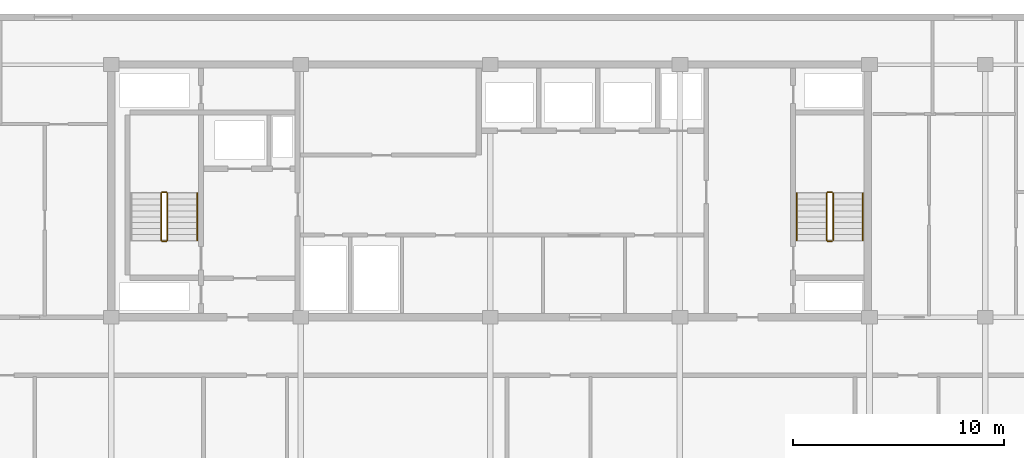
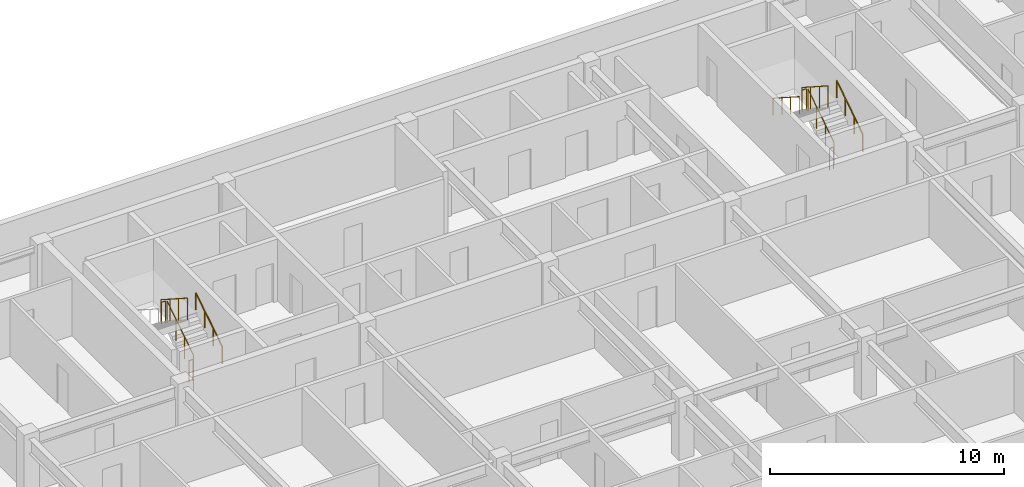
# One storey, part 18 of 21: 11 railings.
"""IFC4 building model written with IfcOpenShell, lengths in metres."""

from ifc_helpers import new_model, si_unit, direction, frame, origin, origin_2d, place, context, subcontext, project, spatial, circle, extrude, material, type_object, element, save


model = new_model("IFC4")

# Units and contexts
model_context = context("Model", 3, precision=1e-05, world=origin(), true_north=direction((0.0, 1.0)))
body_context = subcontext(model_context, "Body", "Model", "MODEL_VIEW")
ifc_project = project(units=[si_unit("LENGTHUNIT", "METRE"), si_unit("AREAUNIT", "SQUARE_METRE"), si_unit("VOLUMEUNIT", "CUBIC_METRE"), si_unit("PLANEANGLEUNIT", "RADIAN"), si_unit("MASSUNIT", "GRAM", prefix="KILO")], contexts=[model_context])

# Site, building, storey
site_placement = place(None, origin())
site = spatial("IfcSite", under=ifc_project, at=site_placement, CompositionType="ELEMENT")
building_placement = place(site_placement, origin())
building = spatial("IfcBuilding", under=site, at=building_placement, Name="Korimba Cascade Residences", CompositionType="ELEMENT")
storey_placement = place(building_placement, frame((0.0, 0.0, 184.85009765625)))
storey = spatial("IfcBuildingStorey", under=building, at=storey_placement, Name="L53", CompositionType="ELEMENT", Elevation=184.85009765625)

# Railings
ifc_material_1 = material(Name="Painted Steel Stairwell Guardrail", Category="steel")
railing_type_1 = type_object("IfcRailingType", Name="RLG-ST-GD1150", PredefinedType="GUARDRAIL", material=ifc_material_1)
railing_1_placement = place(storey_placement, frame((84.77001953125, 22.050048828125, 0.180419921875)))
element("IfcRailing", 1, at=railing_1_placement, inside=storey, type_object=railing_type_1, Name="L53 ST-E1 stair guard 1", PredefinedType="GUARDRAIL", context=body_context, shape_type="SweptSolid", body=[
    extrude(circle(Radius=0.02392578125, at=origin_2d()), frame((0.0, 0.0, 1.1259765625), z_axis=(0.0, 0.840394893359, 0.541974559565), x_axis=(-1.0, 0.0, 0.0)), (0.0, 0.0, 1.0), 2.665283203125),
    extrude(circle(Radius=0.02099609375, at=origin_2d()), origin(), (0.0, 0.0, 1.0), 1.101806640625),
    extrude(circle(Radius=0.02099609375, at=origin_2d()), frame((0.0, 0.74658203125, 0.4814453125)), (0.0, 0.0, 1.0), 1.101806640625),
    extrude(circle(Radius=0.02099609375, at=origin_2d()), frame((0.0, 1.493408203125, 0.963134765625)), (0.0, 0.0, 1.0), 1.101806640625),
    extrude(circle(Radius=0.02099609375, at=origin_2d()), frame((0.0, 2.239990234375, 1.444580078125)), (0.0, 0.0, 1.0), 1.101806640625),
])
railing_2_placement = place(storey_placement, frame((84.719970703125, 24.340087890625, 1.625)))
element("IfcRailing", 2, at=railing_2_placement, inside=storey, type_object=railing_type_1, Name="L53 ST-E1 stair guard 2", PredefinedType="GUARDRAIL", context=body_context, shape_type="SweptSolid", body=[
    extrude(circle(Radius=0.02392578125, at=origin_2d()), frame((0.0, 0.0, 1.1259765625), z_axis=(-1.0, 0.0, 0.0), x_axis=(0.0, -1.0, 0.0)), (0.0, 0.0, 1.0), 0.199951171875),
    extrude(circle(Radius=0.02099609375, at=origin_2d()), origin(), (0.0, 0.0, 1.0), 1.101806640625),
    extrude(circle(Radius=0.02099609375, at=origin_2d()), frame((-0.199951171875, 0.0, 0.0)), (0.0, 0.0, 1.0), 1.101806640625),
])
railing_3_placement = place(storey_placement, frame((84.469970703125, 24.2900390625, 1.805419921875)))
element("IfcRailing", 3, at=railing_3_placement, inside=storey, type_object=railing_type_1, Name="L53 ST-E1 stair guard 3", PredefinedType="GUARDRAIL", context=body_context, shape_type="SweptSolid", body=[
    extrude(circle(Radius=0.02392578125, at=origin_2d()), frame((0.0, 0.0, 1.1259765625), z_axis=(0.0, -0.840394893359, 0.541974559565), x_axis=(1.0, 0.0, 0.0)), (0.0, 0.0, 1.0), 2.665283203125),
    extrude(circle(Radius=0.02099609375, at=origin_2d()), origin(), (0.0, 0.0, 1.0), 1.101806640625),
    extrude(circle(Radius=0.02099609375, at=origin_2d()), frame((0.0, -0.74658203125, 0.4814453125)), (0.0, 0.0, 1.0), 1.101806640625),
    extrude(circle(Radius=0.02099609375, at=origin_2d()), frame((0.0, -1.493408203125, 0.963134765625)), (0.0, 0.0, 1.0), 1.101806640625),
    extrude(circle(Radius=0.02099609375, at=origin_2d()), frame((0.0, -2.239990234375, 1.444580078125)), (0.0, 0.0, 1.0), 1.101806640625),
])
railing_4_placement = place(storey_placement, frame((84.719970703125, 22.0, 0.0)))
element("IfcRailing", 4, at=railing_4_placement, inside=storey, type_object=railing_type_1, Name="L53 ST-E1 stair guard 4", PredefinedType="GUARDRAIL", context=body_context, shape_type="SweptSolid", body=[
    extrude(circle(Radius=0.02392578125, at=origin_2d()), frame((0.0, 0.0, 1.1259765625), z_axis=(-1.0, 0.0, 0.0), x_axis=(0.0, -1.0, 0.0)), (0.0, 0.0, 1.0), 0.199951171875),
    extrude(circle(Radius=0.02099609375, at=origin_2d()), origin(), (0.0, 0.0, 1.0), 1.101806640625),
    extrude(circle(Radius=0.02099609375, at=origin_2d()), frame((-0.199951171875, 0.0, 0.0)), (0.0, 0.0, 1.0), 1.101806640625),
])
railing_5_placement = place(storey_placement, frame((116.3701171875, 22.050048828125, 0.180419921875)))
element("IfcRailing", 5, at=railing_5_placement, inside=storey, type_object=railing_type_1, Name="L53 ST-E2 stair guard 1", PredefinedType="GUARDRAIL", context=body_context, shape_type="SweptSolid", body=[
    extrude(circle(Radius=0.02392578125, at=origin_2d()), frame((0.0, 0.0, 1.1259765625), z_axis=(0.0, 0.840394893359, 0.541974559565), x_axis=(-1.0, 0.0, 0.0)), (0.0, 0.0, 1.0), 2.665283203125),
    extrude(circle(Radius=0.02099609375, at=origin_2d()), origin(), (0.0, 0.0, 1.0), 1.101806640625),
    extrude(circle(Radius=0.02099609375, at=origin_2d()), frame((0.0, 0.74658203125, 0.4814453125)), (0.0, 0.0, 1.0), 1.101806640625),
    extrude(circle(Radius=0.02099609375, at=origin_2d()), frame((0.0, 1.493408203125, 0.963134765625)), (0.0, 0.0, 1.0), 1.101806640625),
    extrude(circle(Radius=0.02099609375, at=origin_2d()), frame((0.0, 2.239990234375, 1.444580078125)), (0.0, 0.0, 1.0), 1.101806640625),
])
railing_6_placement = place(storey_placement, frame((116.320068359375, 24.340087890625, 1.625)))
element("IfcRailing", 6, at=railing_6_placement, inside=storey, type_object=railing_type_1, Name="L53 ST-E2 stair guard 2", PredefinedType="GUARDRAIL", context=body_context, shape_type="SweptSolid", body=[
    extrude(circle(Radius=0.02392578125, at=origin_2d()), frame((0.0, 0.0, 1.1259765625), z_axis=(-1.0, 0.0, 0.0), x_axis=(0.0, -1.0, 0.0)), (0.0, 0.0, 1.0), 0.199951171875),
    extrude(circle(Radius=0.02099609375, at=origin_2d()), origin(), (0.0, 0.0, 1.0), 1.101806640625),
    extrude(circle(Radius=0.02099609375, at=origin_2d()), frame((-0.199951171875, 0.0, 0.0)), (0.0, 0.0, 1.0), 1.101806640625),
])
railing_7_placement = place(storey_placement, frame((116.070068359375, 24.2900390625, 1.805419921875)))
element("IfcRailing", 7, at=railing_7_placement, inside=storey, type_object=railing_type_1, Name="L53 ST-E2 stair guard 3", PredefinedType="GUARDRAIL", context=body_context, shape_type="SweptSolid", body=[
    extrude(circle(Radius=0.02392578125, at=origin_2d()), frame((0.0, 0.0, 1.1259765625), z_axis=(0.0, -0.840394893359, 0.541974559565), x_axis=(1.0, 0.0, 0.0)), (0.0, 0.0, 1.0), 2.665283203125),
    extrude(circle(Radius=0.02099609375, at=origin_2d()), origin(), (0.0, 0.0, 1.0), 1.101806640625),
    extrude(circle(Radius=0.02099609375, at=origin_2d()), frame((0.0, -0.74658203125, 0.4814453125)), (0.0, 0.0, 1.0), 1.101806640625),
    extrude(circle(Radius=0.02099609375, at=origin_2d()), frame((0.0, -1.493408203125, 0.963134765625)), (0.0, 0.0, 1.0), 1.101806640625),
    extrude(circle(Radius=0.02099609375, at=origin_2d()), frame((0.0, -2.239990234375, 1.444580078125)), (0.0, 0.0, 1.0), 1.101806640625),
])
railing_8_placement = place(storey_placement, frame((116.320068359375, 22.0, 0.0)))
element("IfcRailing", 8, at=railing_8_placement, inside=storey, type_object=railing_type_1, Name="L53 ST-E2 stair guard 4", PredefinedType="GUARDRAIL", context=body_context, shape_type="SweptSolid", body=[
    extrude(circle(Radius=0.02392578125, at=origin_2d()), frame((0.0, 0.0, 1.1259765625), z_axis=(-1.0, 0.0, 0.0), x_axis=(0.0, -1.0, 0.0)), (0.0, 0.0, 1.0), 0.199951171875),
    extrude(circle(Radius=0.02099609375, at=origin_2d()), origin(), (0.0, 0.0, 1.0), 1.101806640625),
    extrude(circle(Radius=0.02099609375, at=origin_2d()), frame((-0.199951171875, 0.0, 0.0)), (0.0, 0.0, 1.0), 1.101806640625),
])
ifc_material_2 = material(Name="Brushed Stainless Steel Handrail", Category="steel")
railing_type_2 = type_object("IfcRailingType", Name="RLG-ST-HR900", PredefinedType="HANDRAIL", material=ifc_material_2)
for number, where, name in (
    (9, (86.18994140625, 22.050048828125, 0.36474609375), "L53 ST-E1 stair handrail 1"),
    (10, (117.7900390625, 22.050048828125, 0.36474609375), "L53 ST-E2 stair handrail 1"),
):
    element("IfcRailing", number, at=place(storey_placement, frame(where)), inside=storey, type_object=railing_type_2, Name=name, PredefinedType="HANDRAIL", context=body_context, shape_type="SweptSolid", body=[
        extrude(circle(Radius=0.02392578125, at=origin_2d()), frame((0.0, 0.0, 0.8759765625), z_axis=(0.0, 0.840394893359, 0.541974559565), x_axis=(-1.0, 0.0, 0.0)), (0.0, 0.0, 1.0), 2.665283203125),
        extrude(circle(Radius=0.02099609375, at=origin_2d()), origin(), (0.0, 0.0, 1.0), 0.851806640625),
        extrude(circle(Radius=0.02099609375, at=origin_2d()), frame((0.0, 0.74658203125, 0.4814453125)), (0.0, 0.0, 1.0), 0.851806640625),
        extrude(circle(Radius=0.02099609375, at=origin_2d()), frame((0.0, 1.493408203125, 0.963134765625)), (0.0, 0.0, 1.0), 0.851806640625),
        extrude(circle(Radius=0.02099609375, at=origin_2d()), frame((0.0, 2.239990234375, 1.444580078125)), (0.0, 0.0, 1.0), 0.851806640625),
    ])
railing_9_placement = place(storey_placement, frame((114.64990234375, 24.2900390625, 1.98974609375)))
element("IfcRailing", 11, at=railing_9_placement, inside=storey, type_object=railing_type_2, Name="L53 ST-E2 stair handrail 2", PredefinedType="HANDRAIL", context=body_context, shape_type="SweptSolid", body=[
    extrude(circle(Radius=0.02392578125, at=origin_2d()), frame((0.0, 0.0, 0.8759765625), z_axis=(0.0, -0.840394893359, 0.541974559565), x_axis=(1.0, 0.0, 0.0)), (0.0, 0.0, 1.0), 2.665283203125),
    extrude(circle(Radius=0.02099609375, at=origin_2d()), origin(), (0.0, 0.0, 1.0), 0.851806640625),
    extrude(circle(Radius=0.02099609375, at=origin_2d()), frame((0.0, -0.74658203125, 0.4814453125)), (0.0, 0.0, 1.0), 0.851806640625),
    extrude(circle(Radius=0.02099609375, at=origin_2d()), frame((0.0, -1.493408203125, 0.963134765625)), (0.0, 0.0, 1.0), 0.851806640625),
    extrude(circle(Radius=0.02099609375, at=origin_2d()), frame((0.0, -2.239990234375, 1.444580078125)), (0.0, 0.0, 1.0), 0.851806640625),
])

save(model, "model.ifc")
